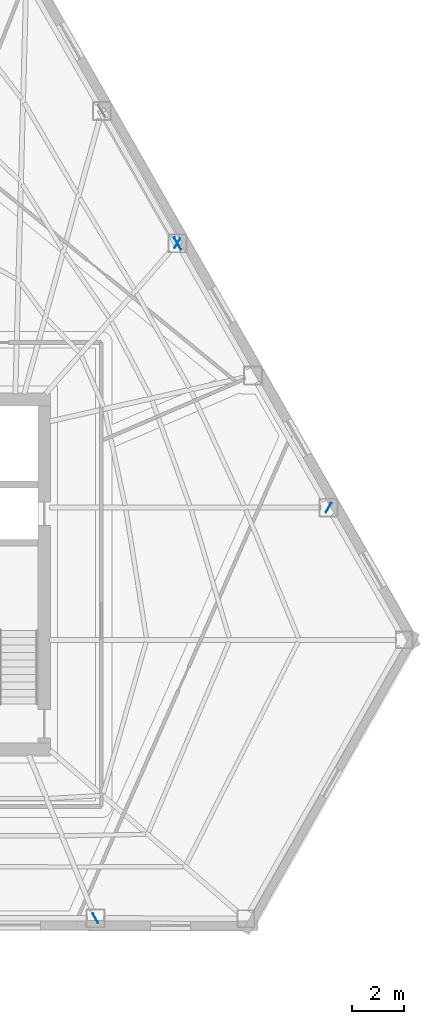
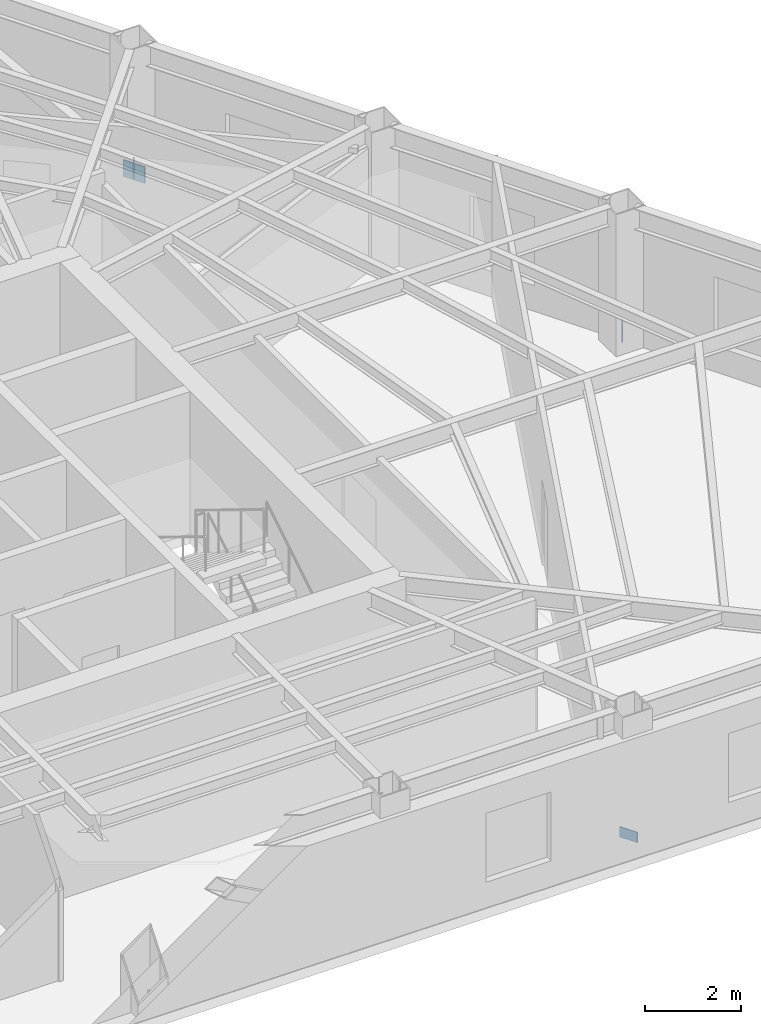
# One storey, part 6 of 13: 4 plates.
"""IFC4 building model written with IfcOpenShell, lengths in metres."""

from ifc_helpers import new_model, si_unit, direction, frame, origin, origin_2d, place, context, subcontext, project, spatial, rectangle, extrude, material, layer, layer_set, type_object, element, save


model = new_model("IFC4")

# Units and contexts
model_context = context("Model", 3, precision=1e-05, world=origin(), true_north=direction((0.0, 1.0)))
body_context = subcontext(model_context, "Body", "Model", "MODEL_VIEW")
ifc_project = project(units=[si_unit("LENGTHUNIT", "METRE"), si_unit("AREAUNIT", "SQUARE_METRE"), si_unit("VOLUMEUNIT", "CUBIC_METRE"), si_unit("PLANEANGLEUNIT", "RADIAN"), si_unit("MASSUNIT", "GRAM", prefix="KILO")], contexts=[model_context])

# Site, building, storey
site_placement = place(None, origin())
site = spatial("IfcSite", under=ifc_project, at=site_placement, CompositionType="ELEMENT")
building_placement = place(site_placement, origin())
building = spatial("IfcBuilding", under=site, at=building_placement, Name="Kavelnor Concourse Tower", CompositionType="ELEMENT")
storey_placement = place(building_placement, frame((0.0, 0.0, 97.050048828125)))
storey = spatial("IfcBuildingStorey", under=building, at=storey_placement, Name="L24", CompositionType="ELEMENT", Elevation=97.050048828125)

# Plates
ifc_material = material(Name="Steel Grade 350", Category="steel")
ifc_layer_1 = layer(ifc_material, 0.031982421875, Name="Steel Grade 350")
ifc_layer_set_1 = layer_set([ifc_layer_1], Name="Steel Grade 350")
plate_type_1 = type_object("IfcPlateType", Name="PL-GUSSET-TUBE-Z1", PredefinedType="USERDEFINED", material=ifc_layer_set_1)
plate_placement = place(storey_placement, frame((52.912841796875, 28.866455078125, 0.010009765625), z_axis=(0.0, 0.0, 1.0), x_axis=(-0.496216503675, 0.868198814489, 0.0)))
element("IfcPlate", 1, at=plate_placement, inside=storey, type_object=plate_type_1, Name="L24 Tube Brace Gusset GP3 F2-B3 End Gusset A", ObjectType="GUSSET_PLATE", PredefinedType="USERDEFINED", context=body_context, shape_type="SweptSolid", body=[
    extrude(rectangle(XDim=0.52001953125, YDim=0.031982421875, at=origin_2d()), origin(), (0.0, 0.0, 1.0), 0.419921875),
])
ifc_layer_2 = layer(ifc_material, 0.02490234375, Name="Steel Grade 350")
ifc_layer_set_2 = layer_set([ifc_layer_2], Name="Steel Grade 350")
plate_type_2 = type_object("IfcPlateType", Name="PL-SPLICE-FLANGE", PredefinedType="SHEET", material=ifc_layer_set_2)
for number, where, z_axis, x_axis, name in (
    (2, (49.744873046875, 2.839599609375, 0.169921875), (0.0, 0.0, 1.0), (-0.5, 0.866025403784, 0.0), "L24 Column Flange Splice Plate F1-B5"),
    (3, (58.736083984375, 18.677490234375, 0.169921875), (0.0, 0.0, 1.0), (-0.5, -0.866025403784, 0.0), "L24 Column Flange Splice Plate F2-B1"),
    (4, (52.906982421875, 28.876708984375, 0.169921875), (0.0, 0.0, 1.0), (-0.5, -0.866025403784, 0.0), "L24 Column Flange Splice Plate F2-B3"),
):
    element("IfcPlate", number, at=place(storey_placement, frame(where, z_axis=z_axis, x_axis=x_axis)), inside=storey, type_object=plate_type_2, Name=name, PredefinedType="SHEET", context=body_context, shape_type="SweptSolid", body=[
        extrude(rectangle(XDim=0.419921875, YDim=0.02490234375, at=origin_2d()), origin(), (0.0, 0.0, 1.0), 0.260009765625),
    ])

save(model, "model.ifc")
